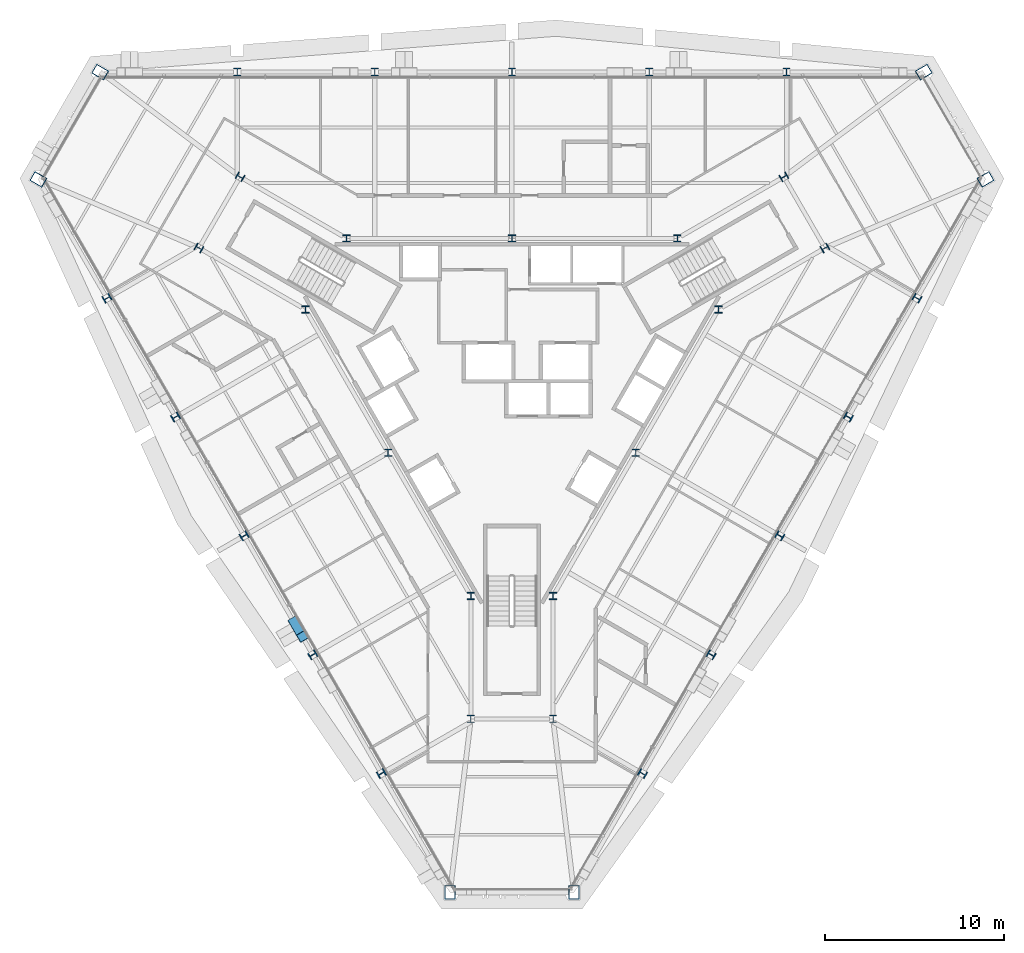
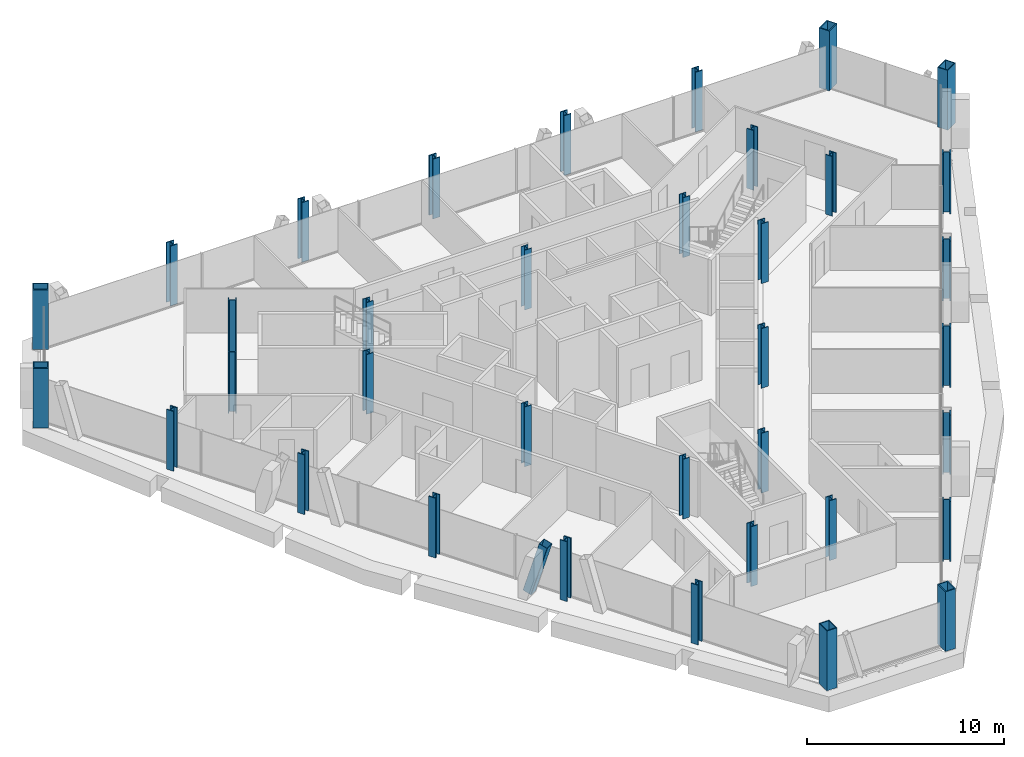
# One storey, part 1 of 13: 36 columns, 1 member.
"""IFC4 building model written with IfcOpenShell, lengths in metres."""

from ifc_helpers import new_model, si_unit, direction, frame, origin, origin_2d, place, context, subcontext, project, spatial, hollow_rectangle, i_section, extrude, material, material_profile, profile_set, type_object, element, save


model = new_model("IFC4")

# Units and contexts
model_context = context("Model", 3, precision=1e-05, world=origin(), true_north=direction((0.0, 1.0)))
body_context = subcontext(model_context, "Body", "Model", "MODEL_VIEW")
ifc_project = project(units=[si_unit("LENGTHUNIT", "METRE"), si_unit("AREAUNIT", "SQUARE_METRE"), si_unit("VOLUMEUNIT", "CUBIC_METRE"), si_unit("PLANEANGLEUNIT", "RADIAN"), si_unit("MASSUNIT", "GRAM", prefix="KILO")], contexts=[model_context])

# Site, building, storey
site_placement = place(None, origin())
site = spatial("IfcSite", under=ifc_project, at=site_placement, CompositionType="ELEMENT")
building_placement = place(site_placement, origin())
building = spatial("IfcBuilding", under=site, at=building_placement, Name="Verrane Prism Tower", CompositionType="ELEMENT")
storey_placement = place(building_placement, frame((0.0, 0.0, 167.300048828125)))
storey = spatial("IfcBuildingStorey", under=building, at=storey_placement, Name="L41", CompositionType="ELEMENT", Elevation=167.300048828125)

# Columns
ifc_material_1 = material(Name="Steel A992", Category="steel")
ifc_material_profile_1 = material_profile(ifc_material_1, i_section(OverallWidth=0.406494140625, OverallDepth=0.41650390625, WebThickness=0.030029296875, FlangeThickness=0.048095703125, FilletRadius=0.01513671875, at=origin_2d()), Name="W14x257")
ifc_profile_set_1 = profile_set([ifc_material_profile_1], Name="Steel A992")
column_type_1 = type_object("IfcColumnType", Name="Core corner column W14x257", PredefinedType="COLUMN", material=ifc_profile_set_1)
for number, where, z_axis, x_axis, name in (
    (1, (17.52001953125, 7.4599609375, 0.0), (0.0, 0.0, 1.0), (0.5, -0.866025403784, 0.0), "Core corner column CK-NEm L41"),
    (2, (15.219970703125, 11.43994140625, 0.0), (0.0, 0.0, 1.0), (0.5, -0.866025403784, 0.0), "Core corner column CK-NEp L41"),
    (3, (-15.219970703125, 11.43994140625, 0.0), (0.0, 0.0, 1.0), (0.5, 0.866025403784, 0.0), "Core corner column CK-NWm L41"),
    (4, (-17.52001953125, 7.4599609375, 0.0), (0.0, 0.0, 1.0), (0.5, 0.866025403784, 0.0), "Core corner column CK-NWp L41"),
    (5, (-2.300048828125, -18.89990234375, 0.0), (0.0, 0.0, 1.0), (-1.0, 0.0, 0.0), "Core corner column CK-Sm L41"),
    (6, (2.300048828125, -18.89990234375, 0.0), (0.0, 0.0, 1.0), (-1.0, 0.0, 0.0), "Core corner column CK-Sp L41"),
):
    element("IfcColumn", number, at=place(storey_placement, frame(where, z_axis=z_axis, x_axis=x_axis)), inside=storey, type_object=column_type_1, Name=name, PredefinedType="COLUMN", context=body_context, shape_type="SweptSolid", body=[
        extrude(i_section(OverallWidth=0.406494140625, OverallDepth=0.41650390625, WebThickness=0.030029296875, FlangeThickness=0.048095703125, FilletRadius=0.01513671875, at=origin_2d()), origin(), (0.0, 0.0, 1.0), 3.699951171875),
    ])
ifc_material_2 = material(Name="Steel A992", Category="steel")
ifc_material_profile_2 = material_profile(ifc_material_2, i_section(OverallWidth=0.4013671875, OverallDepth=0.398681640625, WebThickness=0.02490234375, FlangeThickness=0.03955078125, FilletRadius=0.01513671875, at=origin_2d()), Name="W14x211")
ifc_profile_set_2 = profile_set([ifc_material_profile_2], Name="Steel A992")
column_type_2 = type_object("IfcColumnType", Name="Core side column W14x211", PredefinedType="COLUMN", material=ifc_profile_set_2)
for number, where, z_axis, x_axis, name in (
    (7, (11.56005859375, 4.02001953125, 0.0), (0.0, 0.0, 1.0), (1.0, 0.0, 0.0), "Core side column CC-NEm L41"),
    (8, (9.260009765625, 8.0, 0.0), (0.0, 0.0, 1.0), (1.0, 0.0, 0.0), "Core side column CC-NEp L41"),
    (9, (0.0, 8.0, 0.0), (0.0, 0.0, 1.0), (1.0, 0.0, 0.0), "Core side column CC-N0 L41"),
    (10, (-9.260009765625, 8.0, 0.0), (0.0, 0.0, 1.0), (1.0, 0.0, 0.0), "Core side column CC-NWm L41"),
    (11, (-11.56005859375, 4.02001953125, 0.0), (0.0, 0.0, 1.0), (1.0, 0.0, 0.0), "Core side column CC-NWp L41"),
    (12, (-6.929931640625, -4.0, 0.0), (0.0, 0.0, 1.0), (1.0, 0.0, 0.0), "Core side column CC-SW0 L41"),
    (13, (-2.300048828125, -12.02001953125, 0.0), (0.0, 0.0, 1.0), (1.0, 0.0, 0.0), "Core side column CC-Sm L41"),
    (14, (2.300048828125, -12.02001953125, 0.0), (0.0, 0.0, 1.0), (1.0, 0.0, 0.0), "Core side column CC-Sp L41"),
    (15, (6.929931640625, -4.0, 0.0), (0.0, 0.0, 1.0), (1.0, 0.0, 0.0), "Core side column CC-SE0 L41"),
):
    element("IfcColumn", number, at=place(storey_placement, frame(where, z_axis=z_axis, x_axis=x_axis)), inside=storey, type_object=column_type_2, Name=name, PredefinedType="COLUMN", context=body_context, shape_type="SweptSolid", body=[
        extrude(i_section(OverallWidth=0.4013671875, OverallDepth=0.398681640625, WebThickness=0.02490234375, FlangeThickness=0.03955078125, FilletRadius=0.01513671875, at=origin_2d()), origin(), (0.0, 0.0, 1.0), 3.699951171875),
    ])
ifc_material_3 = material(Name="Steel A572 Grade 50", Category="steel")
ifc_material_profile_3 = material_profile(ifc_material_3, hollow_rectangle(XDim=0.60009765625, YDim=0.800048828125, WallThickness=0.050048828125, at=origin_2d()), Name="BOX 800x600x50")
ifc_profile_set_3 = profile_set([ifc_material_profile_3], Name="Steel A572 Grade 50")
column_type_3 = type_object("IfcColumnType", Name="Megacolumn BOX 800x600x50", PredefinedType="COLUMN", material=ifc_profile_set_3)
for number, where, z_axis, x_axis, name in (
    (16, (23.050048828125, 17.31005859375, 0.0), (0.0, 0.0, 1.0), (0.5, -0.866025403784, 0.0), "Megacolumn MC-NE.b L41"),
    (17, (-23.050048828125, 17.31005859375, 0.0), (0.0, 0.0, 1.0), (0.5, 0.866025403784, 0.0), "Megacolumn MC-NW.a L41"),
    (18, (-26.510009765625, 11.300048828125, 0.0), (0.0, 0.0, 1.0), (0.5, 0.866025403784, 0.0), "Megacolumn MC-NW.b L41"),
    (19, (-3.469970703125, -28.610107421875, 0.0), (0.0, 0.0, 1.0), (-1.0, 0.0, 0.0), "Megacolumn MC-S.a L41"),
    (20, (3.469970703125, -28.610107421875, 0.0), (0.0, 0.0, 1.0), (-1.0, 0.0, 0.0), "Megacolumn MC-S.b L41"),
    (21, (26.510009765625, 11.300048828125, 0.0), (0.0, 0.0, 1.0), (0.5, -0.866025403784, 0.0), "Megacolumn MC-NE.a L41"),
):
    element("IfcColumn", number, at=place(storey_placement, frame(where, z_axis=z_axis, x_axis=x_axis)), inside=storey, type_object=column_type_3, Name=name, PredefinedType="COLUMN", context=body_context, shape_type="SweptSolid", body=[
        extrude(hollow_rectangle(XDim=0.60009765625, YDim=0.800048828125, WallThickness=0.050048828125, at=origin_2d()), origin(), (0.0, 0.0, 1.0), 3.699951171875),
    ])
ifc_material_4 = material(Name="Steel A992", Category="steel")
ifc_material_profile_4 = material_profile(ifc_material_4, i_section(OverallWidth=0.411376953125, OverallDepth=0.434326171875, WebThickness=0.035888671875, FlangeThickness=0.057373046875, FilletRadius=0.01513671875, at=origin_2d()), Name="W14x311")
ifc_profile_set_4 = profile_set([ifc_material_profile_4], Name="Steel A992")
column_type_4 = type_object("IfcColumnType", Name="Perimeter column W14x311", PredefinedType="COLUMN", material=ifc_profile_set_4)
for number, where, z_axis, x_axis, name in (
    (22, (15.3701171875, 17.31005859375, 0.0), (0.0, 0.0, 1.0), (1.0, 0.0, 0.0), "Perimeter column PC-N1 L41"),
    (23, (7.679931640625, 17.31005859375, 0.0), (0.0, 0.0, 1.0), (1.0, 0.0, 0.0), "Perimeter column PC-N2 L41"),
    (24, (0.0, 17.31005859375, 0.0), (0.0, 0.0, 1.0), (1.0, 0.0, 0.0), "Perimeter column PC-N3 L41"),
    (25, (-7.679931640625, 17.31005859375, 0.0), (0.0, 0.0, 1.0), (1.0, 0.0, 0.0), "Perimeter column PC-N4 L41"),
    (26, (-15.3701171875, 17.31005859375, 0.0), (0.0, 0.0, 1.0), (1.0, 0.0, 0.0), "Perimeter column PC-N5 L41"),
    (27, (-22.669921875, 4.64990234375, 0.0), (0.0, 0.0, 1.0), (-0.5, 0.866025403784, 0.0), "Perimeter column PC-SW1 L41"),
    (28, (-18.830078125, -2.0, 0.0), (0.0, 0.0, 1.0), (-0.5, 0.866025403784, 0.0), "Perimeter column PC-SW2 L41"),
    (29, (-14.989990234375, -8.64990234375, 0.0), (0.0, 0.0, 1.0), (-0.5, 0.866025403784, 0.0), "Perimeter column PC-SW3 L41"),
    (30, (-11.14990234375, -15.31005859375, 0.0), (0.0, 0.0, 1.0), (-0.5, 0.866025403784, 0.0), "Perimeter column PC-SW4 L41"),
    (31, (-7.31005859375, -21.9599609375, 0.0), (0.0, 0.0, 1.0), (-0.5, 0.866025403784, 0.0), "Perimeter column PC-SW5 L41"),
    (32, (7.31005859375, -21.9599609375, 0.0), (0.0, 0.0, 1.0), (-0.5, -0.866025403784, 0.0), "Perimeter column PC-SE1 L41"),
    (33, (11.14990234375, -15.31005859375, 0.0), (0.0, 0.0, 1.0), (-0.5, -0.866025403784, 0.0), "Perimeter column PC-SE2 L41"),
    (34, (14.989990234375, -8.64990234375, 0.0), (0.0, 0.0, 1.0), (-0.5, -0.866025403784, 0.0), "Perimeter column PC-SE3 L41"),
    (35, (18.830078125, -2.0, 0.0), (0.0, 0.0, 1.0), (-0.5, -0.866025403784, 0.0), "Perimeter column PC-SE4 L41"),
    (36, (22.669921875, 4.64990234375, 0.0), (0.0, 0.0, 1.0), (-0.5, -0.866025403784, 0.0), "Perimeter column PC-SE5 L41"),
):
    element("IfcColumn", number, at=place(storey_placement, frame(where, z_axis=z_axis, x_axis=x_axis)), inside=storey, type_object=column_type_4, Name=name, PredefinedType="COLUMN", context=body_context, shape_type="SweptSolid", body=[
        extrude(i_section(OverallWidth=0.411376953125, OverallDepth=0.434326171875, WebThickness=0.035888671875, FlangeThickness=0.057373046875, FilletRadius=0.01513671875, at=origin_2d()), origin(), (0.0, 0.0, 1.0), 3.699951171875),
    ])

# Member
ifc_material_5 = material(Name="Steel A500 Grade C", Category="steel")
ifc_material_profile_5 = material_profile(ifc_material_5, hollow_rectangle(XDim=0.508056640625, YDim=0.508056640625, WallThickness=0.01904296875, InnerFilletRadius=0.009521484375, OuterFilletRadius=0.028564453125, at=origin_2d()), Name="HSS20x20x3/4")
ifc_profile_set_5 = profile_set([ifc_material_profile_5], Name="Steel A500 Grade C")
member_type = type_object("IfcMemberType", Name="Facade brace HSS20x20x3/4", PredefinedType="BRACE", material=ifc_profile_set_5)
member_placement = place(storey_placement, frame((-12.209716796875, -13.471923828125, -0.216796875), z_axis=(0.142130918057, -0.246477418948, 0.95866974714), x_axis=(0.866288399192, 0.499544201673, 0.0)))
element("IfcMember", 37, at=member_placement, inside=storey, type_object=member_type, Name="Facade brace SW3 L41", PredefinedType="BRACE", context=body_context, shape_type="SweptSolid", body=[
    extrude(hollow_rectangle(XDim=0.508056640625, YDim=0.508056640625, WallThickness=0.01904296875, InnerFilletRadius=0.009521484375, OuterFilletRadius=0.028564453125, at=origin_2d()), origin(), (0.0, 0.0, 1.0), 3.333984375),
])

save(model, "model.ifc")
